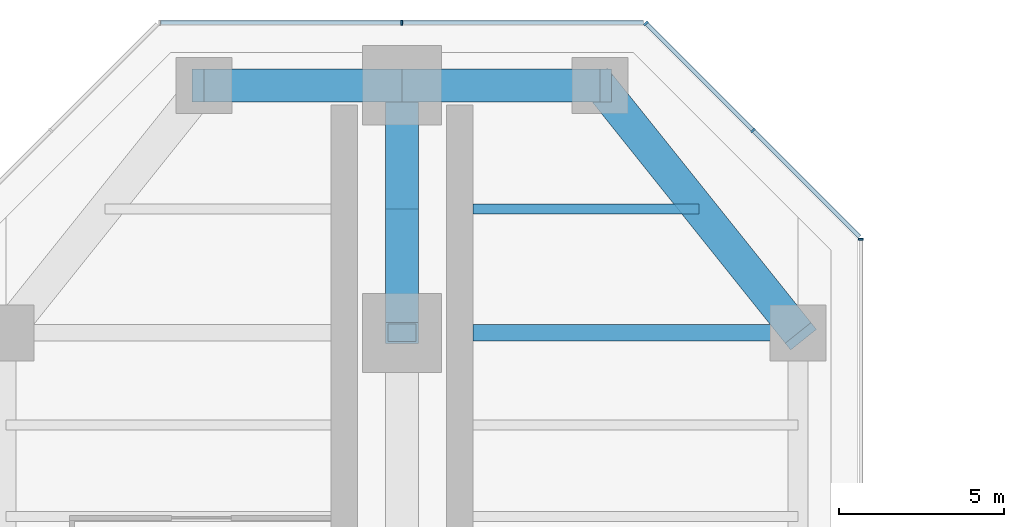
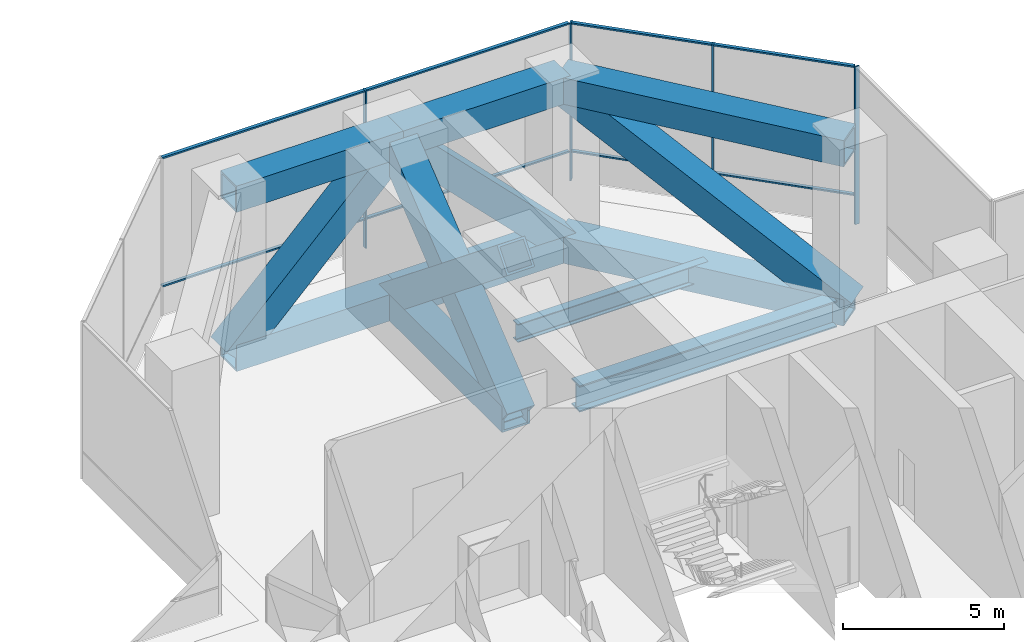
# One storey, part 10 of 19: 23 members, 3 beams, 3 elements without a shape of their own.
"""IFC4 building model written with IfcOpenShell, lengths in metres."""

import ifcopenshell
import ifcopenshell.guid

model = None  # the IFC model being written
_history = None  # IfcOwnerHistory: only IFC2X3 demands one
_inside = {}  # id of a spatial element -> (the spatial element, [elements in it])
_under = {}  # id of a project, library or spatial element -> (it, [spatial elements below it])
_declared = {}  # id of a project -> (the project, [libraries it declares])
_typed = {}  # id of a type object -> (the type object, [elements of that type])
_made_of = {}  # id of a material, layer set ... -> (it, [elements and type objects made of it])


def new_model(schema):
    """Start an empty IFC model of exactly this schema.

    Asked for "IFC4X3", IfcOpenShell would pick the latest addendum, in which some entities
    have other attributes; the version numbers below select the first issue.
    IFC2X3 requires an IfcOwnerHistory on every rooted entity: one is made here for all.
    """
    global model, _history
    if schema == "IFC4X3":
        model = ifcopenshell.file(schema_version=(4, 3, 0, 0))
    else:
        model = ifcopenshell.file(schema=schema)
    _inside.clear()
    _under.clear()
    _declared.clear()
    _typed.clear()
    _made_of.clear()
    _history = None
    if model.schema == "IFC2X3":
        org = make("IfcOrganization", Name="unknown")
        user = make(
            "IfcPersonAndOrganization",
            ThePerson=make("IfcPerson", FamilyName="unknown"),
            TheOrganization=org,
        )
        app = make(
            "IfcApplication",
            ApplicationDeveloper=org,
            Version="unknown",
            ApplicationFullName="unknown",
            ApplicationIdentifier="unknown",
        )
        _history = make(
            "IfcOwnerHistory",
            OwningUser=user,
            OwningApplication=app,
            ChangeAction="ADDED",
            CreationDate=0,
        )
    return model


def make(cls, **values):
    """One entity of the class cls with the attributes given. An attribute that is None is left unset."""
    return model.create_entity(
        cls, **{name: value for name, value in values.items() if value is not None}
    )


def rooted(cls, **values):
    """An entity with a GlobalId (a new one), such as an element, a storey or a relation."""
    return make(cls, GlobalId=ifcopenshell.guid.new(), OwnerHistory=_history, **values)


def si_unit(unit_type, name, prefix=None):
    """IfcSIUnit, for example si_unit("LENGTHUNIT", "METRE", prefix="MILLI")."""
    return make("IfcSIUnit", UnitType=unit_type, Prefix=prefix, Name=name)


def assignment(units):
    """IfcUnitAssignment: the units of a project."""
    return None if units is None else make("IfcUnitAssignment", Units=units)


def point(xyz):
    """IfcCartesianPoint."""
    return None if xyz is None else make("IfcCartesianPoint", Coordinates=xyz)


def direction(xyz):
    """IfcDirection."""
    return None if xyz is None else make("IfcDirection", DirectionRatios=xyz)


def frame(location, z_axis=None, x_axis=None):
    """IfcAxis2Placement3D, a coordinate frame: its origin and axes. An axis left out is left unset."""
    return make(
        "IfcAxis2Placement3D",
        Location=point(location),
        Axis=direction(z_axis),
        RefDirection=direction(x_axis),
    )


def frame_2d(location, x_axis=None):
    """IfcAxis2Placement2D, a coordinate frame in the plane: its origin and x axis."""
    return make(
        "IfcAxis2Placement2D", Location=point(location), RefDirection=direction(x_axis)
    )


def origin():
    """The frame at (0, 0, 0) with its axes left unset."""
    return frame((0.0, 0.0, 0.0))


def origin_2d():
    """The frame at (0, 0) in the plane with its x axis left unset."""
    return frame_2d((0.0, 0.0))


def place(relative_to, where):
    """IfcLocalPlacement: puts the frame where relative to a parent placement (None: the world)."""
    return make(
        "IfcLocalPlacement", PlacementRelTo=relative_to, RelativePlacement=where
    )


def context(
    kind, dimensions, precision=None, world=None, true_north=None, identifier=None
):
    """IfcGeometricRepresentationContext, for example the 3D "Model" context."""
    return make(
        "IfcGeometricRepresentationContext",
        ContextIdentifier=identifier,
        ContextType=kind,
        CoordinateSpaceDimension=dimensions,
        Precision=precision,
        WorldCoordinateSystem=world,
        TrueNorth=true_north,
    )


def subcontext(parent, identifier, kind, view, scale=None):
    """IfcGeometricRepresentationSubContext, for example "Body" below "Model"."""
    return make(
        "IfcGeometricRepresentationSubContext",
        ContextIdentifier=identifier,
        ContextType=kind,
        ParentContext=parent,
        TargetScale=scale,
        TargetView=view,
    )


def project(units=None, contexts=None):
    """IfcProject with its units and contexts."""
    return rooted(
        "IfcProject",
        Name="project",
        RepresentationContexts=contexts,
        UnitsInContext=assignment(units),
    )


def spatial(cls, under=None, at=None, **own):
    """A site, building, storey or space (cls), placed at a placement, below another one or the project."""
    s = rooted(cls, ObjectPlacement=at, **own)
    if under is not None:
        _under.setdefault(under.id(), (under, []))[1].append(s)
    return s


def profile(cls, at=None, kind="AREA", **sizes):
    """A parametric profile (cls). Its sizes go by their IFC names, for example OverallWidth=200.0."""
    return make(cls, ProfileType=kind, Position=at, **sizes)


def rectangle(**sizes):
    """IfcRectangleProfileDef."""
    return profile("IfcRectangleProfileDef", **sizes)


def hollow_rectangle(**sizes):
    """IfcRectangleHollowProfileDef."""
    return profile("IfcRectangleHollowProfileDef", **sizes)


def i_section(**sizes):
    """IfcIShapeProfileDef."""
    return profile("IfcIShapeProfileDef", **sizes)


def extrude(swept, where, along, depth):
    """IfcExtrudedAreaSolid: the profile swept, set in the frame where, extruded along a direction by depth."""
    return make(
        "IfcExtrudedAreaSolid",
        SweptArea=swept,
        Position=where,
        ExtrudedDirection=direction(along),
        Depth=depth,
    )


def shape(context_of_items, identifier, shape_type, items):
    """IfcShapeRepresentation: the items that make up one representation, for example the "Body"."""
    return make(
        "IfcShapeRepresentation",
        ContextOfItems=context_of_items,
        RepresentationIdentifier=identifier,
        RepresentationType=shape_type,
        Items=items,
    )


def material(Name=None, Category=None):
    """IfcMaterial."""
    return make("IfcMaterial", Name=Name, Category=Category)


def material_profile(
    of_material, cross_section, Name=None, Category=None, Priority=None
):
    """IfcMaterialProfile: a cross section and its material."""
    return make(
        "IfcMaterialProfile",
        Name=Name,
        Material=of_material,
        Profile=cross_section,
        Priority=Priority,
        Category=Category,
    )


def profile_set(profiles, Name=None, composite=None):
    """IfcMaterialProfileSet."""
    return make(
        "IfcMaterialProfileSet",
        Name=Name,
        MaterialProfiles=profiles,
        CompositeProfile=composite,
    )


def made_of(thing, what):
    """Note that an element or type object is made of a material, layer set ...; save() writes the relation."""
    if what is not None:
        _made_of.setdefault(what.id(), (what, []))[1].append(thing)
    return thing


def type_object(cls, material=None, **own):
    """A type object (cls), such as IfcWallType, which elements share."""
    return made_of(rooted(cls, **own), material)


def element(
    cls,
    number,
    at=None,
    inside=None,
    cuts=None,
    type_object=None,
    material=None,
    context=None,
    identifier="Body",
    shape_type=None,
    held_by="IfcProductDefinitionShape",
    body=None,
    shapes=None,
    **own,
):
    """One element of the class cls, such as IfcWall. Its Tag is "e" and its number.

    at: its placement. inside: the storey or other place that contains it. cuts: it is an
    opening in that element (IfcRelVoidsElement). A single representation is given by context,
    identifier, shape_type and body (its items); several are given by shapes. held_by: the class
    of the entity that holds the representations. save() writes the other relations.
    """
    e = rooted(cls, Tag="e%d" % number, ObjectPlacement=at, **own)
    if body is not None:
        shapes = [shape(context, identifier, shape_type, body)]
    if shapes is not None:
        e.Representation = make(held_by, Representations=shapes)
    if inside is not None:
        _inside.setdefault(inside.id(), (inside, []))[1].append(e)
    if cuts is not None:
        rooted(
            "IfcRelVoidsElement", RelatingBuildingElement=cuts, RelatedOpeningElement=e
        )
    if type_object is not None:
        _typed.setdefault(type_object.id(), (type_object, []))[1].append(e)
    return made_of(e, material)


def aggregate(whole, parts):
    """IfcRelAggregates: a whole, such as a stair, and the parts it consists of."""
    return rooted("IfcRelAggregates", RelatingObject=whole, RelatedObjects=parts)


def save(model, path):
    """Write the relations noted so far, then the file.

    IfcRelAggregates (storeys below a building ...), IfcRelContainedInSpatialStructure (elements
    in a storey), IfcRelDefinesByType, IfcRelAssociatesMaterial and IfcRelDeclares: one each for
    every whole, place, type object, material and project.
    """
    for whole, parts in _under.values():
        aggregate(whole, parts)
    for where, things in _inside.values():
        rooted(
            "IfcRelContainedInSpatialStructure",
            RelatedElements=things,
            RelatingStructure=where,
        )
    for kind, things in _typed.values():
        rooted("IfcRelDefinesByType", RelatedObjects=things, RelatingType=kind)
    for what, things in _made_of.values():
        rooted("IfcRelAssociatesMaterial", RelatedObjects=things, RelatingMaterial=what)
    for by, libraries in _declared.values():
        rooted("IfcRelDeclares", RelatingContext=by, RelatedDefinitions=libraries)
    model.write(path)


model = new_model("IFC4")

# Units and contexts
model_context = context("Model", 3, precision=1e-05, world=origin(), true_north=direction((0.0, 1.0)))
body_context = subcontext(model_context, "Body", "Model", "MODEL_VIEW")
ifc_project = project(units=[si_unit("LENGTHUNIT", "METRE"), si_unit("AREAUNIT", "SQUARE_METRE"), si_unit("VOLUMEUNIT", "CUBIC_METRE"), si_unit("PLANEANGLEUNIT", "RADIAN"), si_unit("MASSUNIT", "GRAM", prefix="KILO")], contexts=[model_context])

# Site, building, storey
site_placement = place(None, origin())
site = spatial("IfcSite", under=ifc_project, at=site_placement, CompositionType="ELEMENT")
building_placement = place(site_placement, origin())
building = spatial("IfcBuilding", under=site, at=building_placement, Name="Mizan Broadcast Tower", CompositionType="ELEMENT")
storey_placement = place(building_placement, frame((0.0, 0.0, 198.89990234375)))
storey = spatial("IfcBuildingStorey", under=building, at=storey_placement, Name="L46", CompositionType="ELEMENT", Elevation=198.89990234375)

# Members
ifc_material_1 = material(Name="Steel S460", Category="steel")
ifc_material_profile_1 = material_profile(ifc_material_1, hollow_rectangle(XDim=1.0, YDim=1.0, WallThickness=0.080078125, at=origin_2d()), Name="BOX 1000x1000x80")
ifc_profile_set_1 = profile_set([ifc_material_profile_1], Name="Steel S460")
member_type_1 = type_object("IfcMemberType", Name="BELT TRUSS BT3 CHORD BOX 1000x1000x80", PredefinedType="CHORD", material=ifc_profile_set_1)
for number, where, z_axis, x_axis, name in (
    (1, (12.0, 19.5, -0.679931640625), (-0.624695047554, 0.780868809443, 0.0), (-0.780868809443, -0.624695047554, 0.0), "Belt truss BT3-N27 bottom chord 1"),
    (2, (12.0, 19.5, 5.3701171875), (-0.624695047554, 0.780868809443, 0.0), (-0.780868809443, -0.624695047554, 0.0), "Belt truss BT3-N27 top chord 1"),
):
    element("IfcMember", number, at=place(storey_placement, frame(where, z_axis=z_axis, x_axis=x_axis)), inside=storey, type_object=member_type_1, Name=name, PredefinedType="CHORD", context=body_context, shape_type="SweptSolid", body=[
        extrude(hollow_rectangle(XDim=1.0, YDim=1.0, WallThickness=0.080078125, at=origin_2d()), origin(), (0.0, 0.0, 1.0), 9.604736328125),
    ])
for number, where, z_axis, x_axis, name in (
    (3, (6.0, 27.0, -0.679931640625), (-1.0, 0.0, 0.0), (0.0, -1.0, 0.0), "Belt truss BT3-N27 bottom chord 2"),
    (4, (6.0, 27.0, 5.3701171875), (-1.0, 0.0, 0.0), (0.0, -1.0, 0.0), "Belt truss BT3-N27 top chord 2"),
    (5, (0.0, 27.0, -0.679931640625), (-1.0, 0.0, 0.0), (0.0, -1.0, 0.0), "Belt truss BT3-N27 bottom chord 3"),
    (6, (0.0, 27.0, 5.3701171875), (-1.0, 0.0, 0.0), (0.0, -1.0, 0.0), "Belt truss BT3-N27 top chord 3"),
):
    element("IfcMember", number, at=place(storey_placement, frame(where, z_axis=z_axis, x_axis=x_axis)), inside=storey, type_object=member_type_1, Name=name, PredefinedType="CHORD", context=body_context, shape_type="SweptSolid", body=[
        extrude(hollow_rectangle(XDim=1.0, YDim=1.0, WallThickness=0.080078125, at=origin_2d()), origin(), (0.0, 0.0, 1.0), 6.0),
    ])
ifc_material_2 = material(Name="Steel S460", Category="steel")
ifc_material_profile_2 = material_profile(ifc_material_2, hollow_rectangle(XDim=1.0, YDim=1.0, WallThickness=0.06005859375, at=origin_2d()), Name="BOX 1000x1000x60")
ifc_profile_set_2 = profile_set([ifc_material_profile_2], Name="Steel S460")
member_type_2 = type_object("IfcMemberType", Name="BELT TRUSS BT3 DIAGONAL BOX 1000x1000x60", PredefinedType="BRACE", material=ifc_profile_set_2)
member_1_placement = place(storey_placement, frame((12.0, 19.5, -0.679931640625), z_axis=(-0.528571606356, 0.660714507945, 0.532980671269), x_axis=(-0.780868809443, -0.624695047554, 0.0)))
element("IfcMember", 7, at=member_1_placement, inside=storey, type_object=member_type_2, Name="Belt truss BT3-N27 diagonal 1", PredefinedType="BRACE", context=body_context, shape_type="SweptSolid", body=[
    extrude(hollow_rectangle(XDim=1.0, YDim=1.0, WallThickness=0.06005859375, at=origin_2d()), origin(), (0.0, 0.0, 1.0), 11.351318359375),
])
for number, where, z_axis, x_axis, name in (
    (8, (6.0, 27.0, -0.679931640625), (-0.704163801085, 0.0, 0.710037563261), (0.0, -1.0, 0.0), "Belt truss BT3-N27 diagonal 2"),
    (9, (-6.0, 27.0, -0.679931640625), (0.704163801085, 0.0, 0.710037563261), (0.0, 1.0, 0.0), "Belt truss BT3-N27 diagonal 3"),
):
    element("IfcMember", number, at=place(storey_placement, frame(where, z_axis=z_axis, x_axis=x_axis)), inside=storey, type_object=member_type_2, Name=name, PredefinedType="BRACE", context=body_context, shape_type="SweptSolid", body=[
        extrude(hollow_rectangle(XDim=1.0, YDim=1.0, WallThickness=0.06005859375, at=origin_2d()), origin(), (0.0, 0.0, 1.0), 8.520751953125),
    ])

# Beam
ifc_material_3 = material(Name="Steel S460", Category="steel")
ifc_material_profile_3 = material_profile(ifc_material_3, i_section(OverallWidth=0.5, OverallDepth=1.0, WebThickness=0.02490234375, FlangeThickness=0.050048828125, at=origin_2d()), Name="WPG 1000x500")
ifc_profile_set_3 = profile_set([ifc_material_profile_3], Name="Steel S460")
beam_type_1 = type_object("IfcBeamType", Name="GIRDER WPG 1000x500", PredefinedType="BEAM", material=ifc_profile_set_3)
beam_1_placement = place(storey_placement, frame((11.408935546875, 19.5, -0.679931640625), z_axis=(-1.0, 0.0, 0.0), x_axis=(0.0, -1.0, 0.0)))
element("IfcBeam", 10, at=beam_1_placement, inside=storey, type_object=beam_type_1, Name="Girder WPG 1000x500 L46 north arm", PredefinedType="BEAM", context=body_context, shape_type="SweptSolid", body=[
    extrude(i_section(OverallWidth=0.5, OverallDepth=1.0, WebThickness=0.02490234375, FlangeThickness=0.050048828125, at=origin_2d()), origin(), (0.0, 0.0, 1.0), 9.259033203125),
])

# Curtain wall, member
ifc_material_4 = material(Name="Aluminium framed glazing", Category="aluminium")
curtain_wall_type = type_object("IfcCurtainWallType", Name="PLANT LOUVRE", PredefinedType="USERDEFINED", material=ifc_material_4)
curtain_wall_1_placement = place(storey_placement, origin())
curtain_wall_1 = element("IfcCurtainWall", 11, at=curtain_wall_1_placement, inside=storey, type_object=curtain_wall_type, Name="Plant louvre L46 N side", ObjectType="PLANT LOUVRE", PredefinedType="USERDEFINED")
ifc_material_5 = material(Name="Aluminium, pale anodised", Category="aluminium")
ifc_material_profile_4 = material_profile(ifc_material_5, rectangle(XDim=0.159912109375, YDim=0.06005859375, at=origin_2d()), Name="MULLION 160x60")
ifc_profile_set_4 = profile_set([ifc_material_profile_4], Name="Aluminium, pale anodised")
member_type_3 = type_object("IfcMemberType", Name="INNER SKIN MULLION 60x160", PredefinedType="MULLION", material=ifc_profile_set_4)
member_2_placement = place(storey_placement, frame((13.89990234375, 22.3427734375, 0.0), z_axis=(0.0, 0.0, 1.0), x_axis=(-1.0, 0.0, 0.0)))
member_2 = element("IfcMember", 12, at=member_2_placement, type_object=member_type_3, Name="Plant louvre L46 N side mullion 2", PredefinedType="MULLION", context=body_context, shape_type="SweptSolid", body=[
    extrude(rectangle(XDim=0.159912109375, YDim=0.06005859375, at=origin_2d()), origin(), (0.0, 0.0, 1.0), 6.0),
])
aggregate(curtain_wall_1, [member_2])

# Curtain wall, members
curtain_wall_2_placement = place(storey_placement, origin())
curtain_wall_2 = element("IfcCurtainWall", 13, at=curtain_wall_2_placement, inside=storey, type_object=curtain_wall_type, Name="Plant louvre L46 N chamfer", ObjectType="PLANT LOUVRE", PredefinedType="USERDEFINED")
member_3_placement = place(storey_placement, frame((10.636474609375, 25.636474609375, 0.0), z_axis=(0.0, 0.0, 1.0), x_axis=(-0.707106781187, -0.707106781187, 0.0)))
member_3 = element("IfcMember", 14, at=member_3_placement, type_object=member_type_3, Name="Plant louvre L46 N chamfer mullion 2", PredefinedType="MULLION", context=body_context, shape_type="SweptSolid", body=[
    extrude(rectangle(XDim=0.159912109375, YDim=0.06005859375, at=origin_2d()), origin(), (0.0, 0.0, 1.0), 6.0),
])
member_4_placement = place(storey_placement, frame((7.39404296875, 28.87890625, 0.0), z_axis=(0.0, 0.0, 1.0), x_axis=(-0.707106781187, -0.707106781187, 0.0)))
member_4 = element("IfcMember", 15, at=member_4_placement, type_object=member_type_3, Name="Plant louvre L46 N chamfer mullion 3", PredefinedType="MULLION", context=body_context, shape_type="SweptSolid", body=[
    extrude(rectangle(XDim=0.159912109375, YDim=0.06005859375, at=origin_2d()), origin(), (0.0, 0.0, 1.0), 6.0),
])

# Curtain wall, member
curtain_wall_3_placement = place(storey_placement, origin())
curtain_wall_3 = element("IfcCurtainWall", 16, at=curtain_wall_3_placement, inside=storey, type_object=curtain_wall_type, Name="Plant louvre L46 N end", ObjectType="PLANT LOUVRE", PredefinedType="USERDEFINED")
member_5_placement = place(storey_placement, frame((0.0, 28.89990234375, 0.0), z_axis=(0.0, 0.0, 1.0), x_axis=(0.0, -1.0, 0.0)))
member_5 = element("IfcMember", 17, at=member_5_placement, type_object=member_type_3, Name="Plant louvre L46 N end mullion 2", PredefinedType="MULLION", context=body_context, shape_type="SweptSolid", body=[
    extrude(rectangle(XDim=0.159912109375, YDim=0.06005859375, at=origin_2d()), origin(), (0.0, 0.0, 1.0), 6.0),
])

# Member
ifc_material_6 = material(Name="Aluminium, pale anodised", Category="aluminium")
ifc_material_profile_5 = material_profile(ifc_material_6, rectangle(XDim=0.1201171875, YDim=0.06005859375, at=origin_2d()), Name="TRANSOM 120x60")
ifc_profile_set_5 = profile_set([ifc_material_profile_5], Name="Aluminium, pale anodised")
member_type_4 = type_object("IfcMemberType", Name="INNER SKIN TRANSOM 60x120", PredefinedType="USERDEFINED", material=ifc_profile_set_5)
member_6_placement = place(storey_placement, frame((13.857666015625, 22.415283203125, 1.10009765625), z_axis=(-0.707106781187, 0.707106781187, 0.0), x_axis=(-0.707106781187, -0.707106781187, 0.0)))
member_6 = element("IfcMember", 18, at=member_6_placement, type_object=member_type_4, Name="Plant louvre L46 N chamfer transom 1.1", ObjectType="TRANSOM", PredefinedType="USERDEFINED", context=body_context, shape_type="SweptSolid", body=[
    extrude(rectangle(XDim=0.1201171875, YDim=0.06005859375, at=origin_2d()), origin(), (0.0, 0.0, 1.0), 4.525390625),
])

member_7_placement = place(storey_placement, frame((13.857666015625, 22.415283203125, 5.97021484375), z_axis=(-0.707106781187, 0.707106781187, 0.0), x_axis=(-0.707106781187, -0.707106781187, 0.0)))
member_7 = element("IfcMember", 19, at=member_7_placement, type_object=member_type_4, Name="Plant louvre L46 N chamfer transom 1.2", ObjectType="TRANSOM", PredefinedType="USERDEFINED", context=body_context, shape_type="SweptSolid", body=[
    extrude(rectangle(XDim=0.1201171875, YDim=0.06005859375, at=origin_2d()), origin(), (0.0, 0.0, 1.0), 4.525390625),
])

member_8_placement = place(storey_placement, frame((10.615234375, 25.65771484375, 1.10009765625), z_axis=(-0.707106781187, 0.707106781187, 0.0), x_axis=(-0.707106781187, -0.707106781187, 0.0)))
member_8 = element("IfcMember", 20, at=member_8_placement, type_object=member_type_4, Name="Plant louvre L46 N chamfer transom 2.1", ObjectType="TRANSOM", PredefinedType="USERDEFINED", context=body_context, shape_type="SweptSolid", body=[
    extrude(rectangle(XDim=0.1201171875, YDim=0.06005859375, at=origin_2d()), origin(), (0.0, 0.0, 1.0), 4.525390625),
])

member_9_placement = place(storey_placement, frame((10.615234375, 25.65771484375, 5.97021484375), z_axis=(-0.707106781187, 0.707106781187, 0.0), x_axis=(-0.707106781187, -0.707106781187, 0.0)))
member_9 = element("IfcMember", 21, at=member_9_placement, type_object=member_type_4, Name="Plant louvre L46 N chamfer transom 2.2", ObjectType="TRANSOM", PredefinedType="USERDEFINED", context=body_context, shape_type="SweptSolid", body=[
    extrude(rectangle(XDim=0.1201171875, YDim=0.06005859375, at=origin_2d()), origin(), (0.0, 0.0, 1.0), 4.525390625),
])

aggregate(curtain_wall_2, [member_3, member_4, member_6, member_7, member_8, member_9])

member_10_placement = place(storey_placement, frame((7.312744140625, 28.89990234375, 1.10009765625), z_axis=(-1.0, 0.0, 0.0), x_axis=(0.0, -1.0, 0.0)))
member_10 = element("IfcMember", 22, at=member_10_placement, type_object=member_type_4, Name="Plant louvre L46 N end transom 1.1", ObjectType="TRANSOM", PredefinedType="USERDEFINED", context=body_context, shape_type="SweptSolid", body=[
    extrude(rectangle(XDim=0.1201171875, YDim=0.06005859375, at=origin_2d()), origin(), (0.0, 0.0, 1.0), 7.28271484375),
])

member_11_placement = place(storey_placement, frame((7.312744140625, 28.89990234375, 5.97021484375), z_axis=(-1.0, 0.0, 0.0), x_axis=(0.0, -1.0, 0.0)))
member_11 = element("IfcMember", 23, at=member_11_placement, type_object=member_type_4, Name="Plant louvre L46 N end transom 1.2", ObjectType="TRANSOM", PredefinedType="USERDEFINED", context=body_context, shape_type="SweptSolid", body=[
    extrude(rectangle(XDim=0.1201171875, YDim=0.06005859375, at=origin_2d()), origin(), (0.0, 0.0, 1.0), 7.28271484375),
])

member_12_placement = place(storey_placement, frame((-0.030029296875, 28.89990234375, 1.10009765625), z_axis=(-1.0, 0.0, 0.0), x_axis=(0.0, -1.0, 0.0)))
member_12 = element("IfcMember", 24, at=member_12_placement, type_object=member_type_4, Name="Plant louvre L46 N end transom 2.1", ObjectType="TRANSOM", PredefinedType="USERDEFINED", context=body_context, shape_type="SweptSolid", body=[
    extrude(rectangle(XDim=0.1201171875, YDim=0.06005859375, at=origin_2d()), origin(), (0.0, 0.0, 1.0), 7.28271484375),
])

member_13_placement = place(storey_placement, frame((-0.030029296875, 28.89990234375, 5.97021484375), z_axis=(-1.0, 0.0, 0.0), x_axis=(0.0, -1.0, 0.0)))
member_13 = element("IfcMember", 25, at=member_13_placement, type_object=member_type_4, Name="Plant louvre L46 N end transom 2.2", ObjectType="TRANSOM", PredefinedType="USERDEFINED", context=body_context, shape_type="SweptSolid", body=[
    extrude(rectangle(XDim=0.1201171875, YDim=0.06005859375, at=origin_2d()), origin(), (0.0, 0.0, 1.0), 7.28271484375),
])

aggregate(curtain_wall_3, [member_5, member_10, member_11, member_12, member_13])

# Beam
ifc_material_7 = material(Name="Steel S460", Category="steel")
ifc_material_profile_6 = material_profile(ifc_material_7, hollow_rectangle(XDim=1.0, YDim=1.0, WallThickness=0.080078125, at=origin_2d()), Name="BOX 1000x1000x80")
ifc_profile_set_6 = profile_set([ifc_material_profile_6], Name="Steel S460")
beam_type_2 = type_object("IfcBeamType", Name="OUTRIGGER TRUSS OT3 CHORD BOX 1000x1000x80", PredefinedType="BEAM", material=ifc_profile_set_6)
beam_2_placement = place(storey_placement, frame((0.0, 19.5, -0.679931640625), z_axis=(0.0, 1.0, 0.0), x_axis=(-1.0, 0.0, 0.0)))
element("IfcBeam", 26, at=beam_2_placement, inside=storey, type_object=beam_type_2, Name="Outrigger truss OT3-N bottom chord 2", PredefinedType="BEAM", context=body_context, shape_type="SweptSolid", body=[
    extrude(hollow_rectangle(XDim=1.0, YDim=1.0, WallThickness=0.080078125, at=origin_2d()), origin(), (0.0, 0.0, 1.0), 7.5),
])

# Members
ifc_material_8 = material(Name="Steel S460", Category="steel")
ifc_material_profile_7 = material_profile(ifc_material_8, hollow_rectangle(XDim=1.0, YDim=1.0, WallThickness=0.080078125, at=origin_2d()), Name="BOX 1000x1000x80")
ifc_profile_set_7 = profile_set([ifc_material_profile_7], Name="Steel S460")
member_type_5 = type_object("IfcMemberType", Name="OUTRIGGER TRUSS OT3 DIAGONAL BOX 1000x1000x80", PredefinedType="BRACE", material=ifc_profile_set_7)
for number, where, z_axis, x_axis, name in (
    (27, (0.0, 19.5, -0.679931640625), (0.0, 0.77832876476, 0.627856937484), (-1.0, 0.0, 0.0), "Outrigger truss OT3-N panel 2 diagonal 1"),
    (28, (0.0, 19.5, 5.3701171875), (0.0, 0.77832876476, -0.627856937484), (-1.0, 0.0, 0.0), "Outrigger truss OT3-N panel 2 diagonal 2"),
):
    element("IfcMember", number, at=place(storey_placement, frame(where, z_axis=z_axis, x_axis=x_axis)), inside=storey, type_object=member_type_5, Name=name, PredefinedType="BRACE", context=body_context, shape_type="SweptSolid", body=[
        extrude(hollow_rectangle(XDim=1.0, YDim=1.0, WallThickness=0.080078125, at=origin_2d()), origin(), (0.0, 0.0, 1.0), 9.635986328125),
    ])

# Beam
ifc_material_9 = material(Name="Steel S355", Category="steel")
ifc_material_profile_8 = material_profile(ifc_material_9, i_section(OverallWidth=0.300048828125, OverallDepth=0.68994140625, WebThickness=0.014404296875, FlangeThickness=0.027099609375, FilletRadius=0.027099609375, at=origin_2d()), Name="HEA 700")
ifc_profile_set_8 = profile_set([ifc_material_profile_8], Name="Steel S355")
beam_type_3 = type_object("IfcBeamType", Name="SECONDARY BEAM HEA 700", PredefinedType="JOIST", material=ifc_profile_set_8)
beam_3_placement = place(storey_placement, frame((9.0, 23.25, -0.52490234375), z_axis=(-1.0, 0.0, 0.0), x_axis=(0.0, -1.0, 0.0)))
element("IfcBeam", 29, at=beam_3_placement, inside=storey, type_object=beam_type_3, Name="Secondary beam HEA 700 L46 north arm", PredefinedType="JOIST", context=body_context, shape_type="SweptSolid", body=[
    extrude(i_section(OverallWidth=0.300048828125, OverallDepth=0.68994140625, WebThickness=0.014404296875, FlangeThickness=0.027099609375, FilletRadius=0.027099609375, at=origin_2d()), origin(), (0.0, 0.0, 1.0), 6.85009765625),
])

save(model, "model.ifc")
